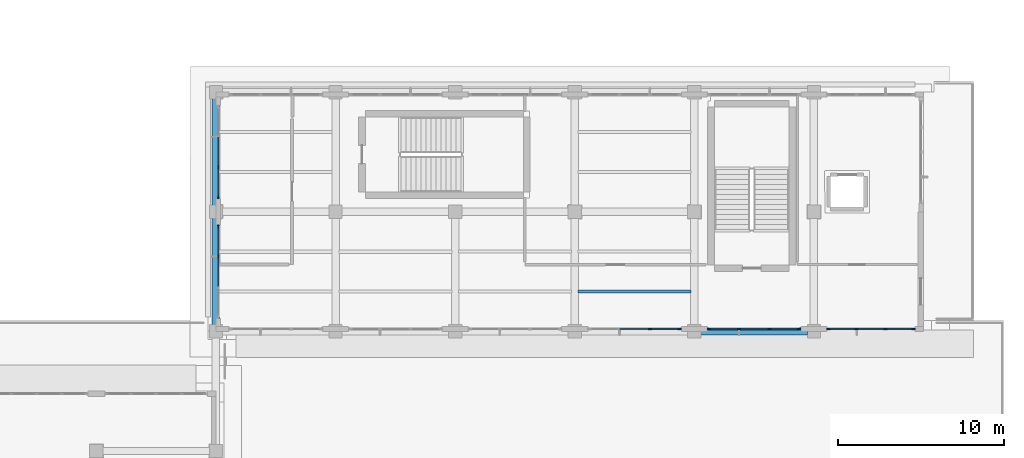
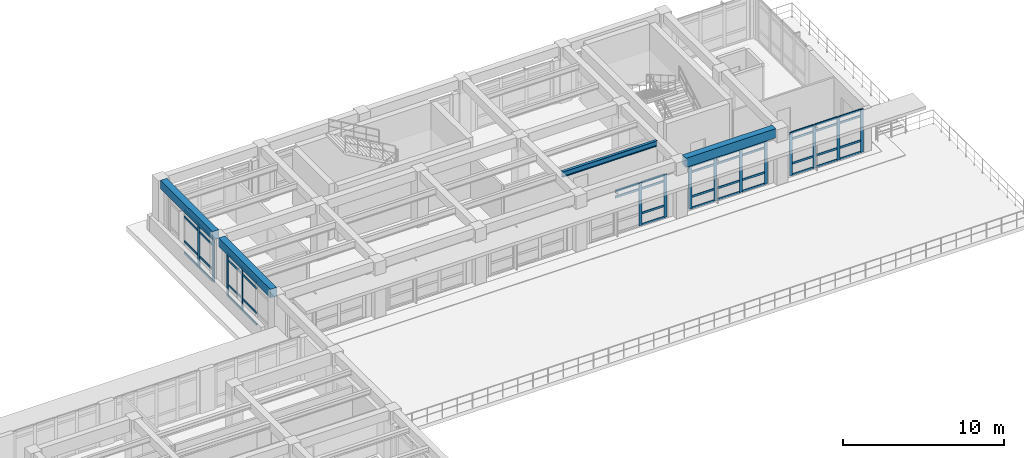
# One storey, part 16 of 67: 60 members, 4 beams, 5 elements without a shape of their own.
"""IFC4 building model written with IfcOpenShell, lengths in metres."""

from ifc_helpers import new_model, si_unit, direction, frame, origin, origin_2d, place, context, subcontext, project, spatial, rectangle, i_section, extrude, material, layer, layer_set, material_profile, profile_set, type_object, element, aggregate, save


model = new_model("IFC4")

# Units and contexts
model_context = context("Model", 3, precision=1e-05, world=origin(), true_north=direction((0.0, 1.0)))
body_context = subcontext(model_context, "Body", "Model", "MODEL_VIEW")
ifc_project = project(units=[si_unit("LENGTHUNIT", "METRE"), si_unit("AREAUNIT", "SQUARE_METRE"), si_unit("VOLUMEUNIT", "CUBIC_METRE"), si_unit("PLANEANGLEUNIT", "RADIAN"), si_unit("MASSUNIT", "GRAM", prefix="KILO")], contexts=[model_context])

# Site, building, storey
site_placement = place(None, origin())
site = spatial("IfcSite", under=ifc_project, at=site_placement, CompositionType="ELEMENT")
building_placement = place(site_placement, origin())
building = spatial("IfcBuilding", under=site, at=building_placement, Name="Solenvale Faculty of Natural Sciences", CompositionType="ELEMENT")
storey_placement = place(building_placement, frame((0.0, 0.0, 13.5)))
storey = spatial("IfcBuildingStorey", under=building, at=storey_placement, Name="L03", CompositionType="ELEMENT", Elevation=13.5)

# Beams
ifc_material_1 = material(Name="Concrete 40 MPa", Category="concrete")
ifc_material_profile_1 = material_profile(ifc_material_1, rectangle(XDim=0.449951171875, YDim=0.64990234375, at=origin_2d()), Name="RC-BM-450x650")
ifc_profile_set_1 = profile_set([ifc_material_profile_1], Name="Concrete 40 MPa")
beam_type_1 = type_object("IfcBeamType", Name="BM-RC-450x650", PredefinedType="BEAM", material=ifc_profile_set_1)
for number, where, z_axis, x_axis, name in (
    (1, (115.199951171875, 43.580078125, 3.89501953125), (0.0, 1.0, 0.0), (-1.0, 0.0, 0.0), "L03 Y-Girder X115.2 (43.2..50.4)"),
    (2, (115.199951171875, 50.780029296875, 3.89501953125), (0.0, 1.0, 0.0), (-1.0, 0.0, 0.0), "L03 Y-Girder X115.2 (50.4..57.6)"),
):
    element("IfcBeam", number, at=place(storey_placement, frame(where, z_axis=z_axis, x_axis=x_axis)), inside=storey, type_object=beam_type_1, Name=name, PredefinedType="BEAM", context=body_context, shape_type="SweptSolid", body=[
        extrude(rectangle(XDim=0.449951171875, YDim=0.64990234375, at=origin_2d()), origin(), (0.0, 0.0, 1.0), 6.43994140625),
    ])
ifc_material_profile_2 = material_profile(ifc_material_1, rectangle(XDim=0.449951171875, YDim=0.699951171875, at=origin_2d()), Name="RC-BM-450x700")
ifc_profile_set_2 = profile_set([ifc_material_profile_2], Name="Concrete 40 MPa")
beam_type_2 = type_object("IfcBeamType", Name="BM-RC-450x700", PredefinedType="BEAM", material=ifc_profile_set_2)
beam_1_placement = place(storey_placement, frame((144.3798828125, 43.199951171875, 3.8701171875), z_axis=(1.0, 0.0, 0.0), x_axis=(0.0, 1.0, 0.0)))
element("IfcBeam", 3, at=beam_1_placement, inside=storey, type_object=beam_type_2, Name="L03 X-Girder Y43.2 (144.0..151.2)", PredefinedType="BEAM", context=body_context, shape_type="SweptSolid", body=[
    extrude(rectangle(XDim=0.449951171875, YDim=0.699951171875, at=origin_2d()), origin(), (0.0, 0.0, 1.0), 6.440185546875),
])
ifc_material_2 = material(Name="Steel S355", Category="steel")
ifc_material_profile_3 = material_profile(ifc_material_2, i_section(OverallWidth=0.180908203125, OverallDepth=0.4169921875, WebThickness=0.010986328125, FlangeThickness=0.018310546875, FilletRadius=0.01611328125, at=origin_2d()), Name="W410x85")
ifc_profile_set_3 = profile_set([ifc_material_profile_3], Name="Steel S355")
beam_type_3 = type_object("IfcBeamType", Name="BM-STL-W410x85", PredefinedType="JOIST", material=ifc_profile_set_3)
beam_2_placement = place(storey_placement, frame((137.0048828125, 45.60009765625, 4.011474609375), z_axis=(1.0, 0.0, 0.0), x_axis=(0.0, 1.0, 0.0)))
element("IfcBeam", 4, at=beam_2_placement, inside=storey, type_object=beam_type_3, Name="L03 Composite Floor Joist (20,7).1", PredefinedType="JOIST", context=body_context, shape_type="SweptSolid", body=[
    extrude(i_section(OverallWidth=0.180908203125, OverallDepth=0.4169921875, WebThickness=0.010986328125, FlangeThickness=0.018310546875, FilletRadius=0.01611328125, at=origin_2d()), origin(), (0.0, 0.0, 1.0), 6.7900390625),
])

# Curtain wall, members
ifc_material_3 = material(Name="Anodised bronze aluminium", Category="aluminium")
ifc_layer = layer(ifc_material_3, 0.199951171875)
ifc_layer_set = layer_set([ifc_layer], Name="Anodised bronze aluminium")
curtain_wall_type = type_object("IfcCurtainWallType", Name="CW-COM-FIN", PredefinedType="USERDEFINED", material=ifc_layer_set)
curtain_wall_1_placement = place(storey_placement, origin())
curtain_wall_1 = element("IfcCurtainWall", 5, at=curtain_wall_1_placement, inside=storey, type_object=curtain_wall_type, Name="L03 Curtain Wall CW-L03-P2-E1-B4", ObjectType="UNITISED CURTAIN WALL", PredefinedType="USERDEFINED")
ifc_material_profile_4 = material_profile(ifc_material_3, rectangle(XDim=0.074951171875, YDim=0.2099609375, at=origin_2d()), Name="ALU-MUL-75x210")
ifc_profile_set_4 = profile_set([ifc_material_profile_4], Name="Anodised bronze aluminium")
member_type_1 = type_object("IfcMemberType", Name="CWM-ALU-75x210", PredefinedType="MULLION", material=ifc_profile_set_4)
member_1_placement = place(storey_placement, frame((141.316650390625, 43.342529296875, 0.0), z_axis=(0.0, 0.0, 1.0), x_axis=(0.0, 1.0, 0.0)))
member_1 = element("IfcMember", 6, at=member_1_placement, type_object=member_type_1, Name="CW-03 mullion 3", PredefinedType="MULLION", context=body_context, shape_type="SweptSolid", body=[
    extrude(rectangle(XDim=0.074951171875, YDim=0.2099609375, at=origin_2d()), origin(), (0.0, 0.0, 1.0), 3.260009765625),
])
member_2_placement = place(storey_placement, frame((143.112548828125, 43.342529296875, 0.0), z_axis=(0.0, 0.0, 1.0), x_axis=(0.0, 1.0, 0.0)))
member_2 = element("IfcMember", 7, at=member_2_placement, type_object=member_type_1, Name="CW-03 mullion 4", PredefinedType="MULLION", context=body_context, shape_type="SweptSolid", body=[
    extrude(rectangle(XDim=0.074951171875, YDim=0.2099609375, at=origin_2d()), origin(), (0.0, 0.0, 1.0), 3.260009765625),
])

curtain_wall_2_placement = place(storey_placement, origin())
curtain_wall_2 = element("IfcCurtainWall", 8, at=curtain_wall_2_placement, inside=storey, type_object=curtain_wall_type, Name="L03 Curtain Wall CW-L03-P2-E1-B5", ObjectType="UNITISED CURTAIN WALL", PredefinedType="USERDEFINED")
member_3_placement = place(storey_placement, frame((144.887451171875, 43.342529296875, 0.0), z_axis=(0.0, 0.0, 1.0), x_axis=(0.0, 1.0, 0.0)))
member_3 = element("IfcMember", 9, at=member_3_placement, type_object=member_type_1, Name="CW-03 mullion 1", PredefinedType="MULLION", context=body_context, shape_type="SweptSolid", body=[
    extrude(rectangle(XDim=0.074951171875, YDim=0.2099609375, at=origin_2d()), origin(), (0.0, 0.0, 1.0), 3.260009765625),
])
member_4_placement = place(storey_placement, frame((146.683349609375, 43.342529296875, 0.0), z_axis=(0.0, 0.0, 1.0), x_axis=(0.0, 1.0, 0.0)))
member_4 = element("IfcMember", 10, at=member_4_placement, type_object=member_type_1, Name="CW-03 mullion 2", PredefinedType="MULLION", context=body_context, shape_type="SweptSolid", body=[
    extrude(rectangle(XDim=0.074951171875, YDim=0.2099609375, at=origin_2d()), origin(), (0.0, 0.0, 1.0), 3.260009765625),
])
member_5_placement = place(storey_placement, frame((148.5166015625, 43.342529296875, 0.0), z_axis=(0.0, 0.0, 1.0), x_axis=(0.0, 1.0, 0.0)))
member_5 = element("IfcMember", 11, at=member_5_placement, type_object=member_type_1, Name="CW-03 mullion 3", PredefinedType="MULLION", context=body_context, shape_type="SweptSolid", body=[
    extrude(rectangle(XDim=0.074951171875, YDim=0.2099609375, at=origin_2d()), origin(), (0.0, 0.0, 1.0), 3.260009765625),
])
member_6_placement = place(storey_placement, frame((150.3125, 43.342529296875, 0.0), z_axis=(0.0, 0.0, 1.0), x_axis=(0.0, 1.0, 0.0)))
member_6 = element("IfcMember", 12, at=member_6_placement, type_object=member_type_1, Name="CW-03 mullion 4", PredefinedType="MULLION", context=body_context, shape_type="SweptSolid", body=[
    extrude(rectangle(XDim=0.074951171875, YDim=0.2099609375, at=origin_2d()), origin(), (0.0, 0.0, 1.0), 3.260009765625),
])

curtain_wall_3_placement = place(storey_placement, origin())
curtain_wall_3 = element("IfcCurtainWall", 13, at=curtain_wall_3_placement, inside=storey, type_object=curtain_wall_type, Name="L03 Curtain Wall CW-L03-P2-E1-B6", ObjectType="UNITISED CURTAIN WALL", PredefinedType="USERDEFINED")
member_7_placement = place(storey_placement, frame((152.08740234375, 43.342529296875, 0.0), z_axis=(0.0, 0.0, 1.0), x_axis=(0.0, 1.0, 0.0)))
member_7 = element("IfcMember", 14, at=member_7_placement, type_object=member_type_1, Name="CW-03 mullion 1", PredefinedType="MULLION", context=body_context, shape_type="SweptSolid", body=[
    extrude(rectangle(XDim=0.074951171875, YDim=0.2099609375, at=origin_2d()), origin(), (0.0, 0.0, 1.0), 3.260009765625),
])
member_8_placement = place(storey_placement, frame((153.7734375, 43.342529296875, 0.0), z_axis=(0.0, 0.0, 1.0), x_axis=(0.0, 1.0, 0.0)))
member_8 = element("IfcMember", 15, at=member_8_placement, type_object=member_type_1, Name="CW-03 mullion 2", PredefinedType="MULLION", context=body_context, shape_type="SweptSolid", body=[
    extrude(rectangle(XDim=0.074951171875, YDim=0.2099609375, at=origin_2d()), origin(), (0.0, 0.0, 1.0), 3.260009765625),
])
member_9_placement = place(storey_placement, frame((155.49658203125, 43.342529296875, 0.0), z_axis=(0.0, 0.0, 1.0), x_axis=(0.0, 1.0, 0.0)))
member_9 = element("IfcMember", 16, at=member_9_placement, type_object=member_type_1, Name="CW-03 mullion 3", PredefinedType="MULLION", context=body_context, shape_type="SweptSolid", body=[
    extrude(rectangle(XDim=0.074951171875, YDim=0.2099609375, at=origin_2d()), origin(), (0.0, 0.0, 1.0), 3.260009765625),
])
member_10_placement = place(storey_placement, frame((157.1826171875, 43.342529296875, 0.0), z_axis=(0.0, 0.0, 1.0), x_axis=(0.0, 1.0, 0.0)))
member_10 = element("IfcMember", 17, at=member_10_placement, type_object=member_type_1, Name="CW-03 mullion 4", PredefinedType="MULLION", context=body_context, shape_type="SweptSolid", body=[
    extrude(rectangle(XDim=0.074951171875, YDim=0.2099609375, at=origin_2d()), origin(), (0.0, 0.0, 1.0), 3.260009765625),
])

curtain_wall_4_placement = place(storey_placement, origin())
curtain_wall_4 = element("IfcCurtainWall", 18, at=curtain_wall_4_placement, inside=storey, type_object=curtain_wall_type, Name="L03 Curtain Wall CW-L03-P2-E4-B1", ObjectType="UNITISED CURTAIN WALL", PredefinedType="USERDEFINED")
member_11_placement = place(storey_placement, frame((115.342529296875, 53.083251953125, 0.0), z_axis=(0.0, 0.0, 1.0), x_axis=(1.0, 0.0, 0.0)))
member_11 = element("IfcMember", 19, at=member_11_placement, type_object=member_type_1, Name="CW-03 mullion 3", PredefinedType="MULLION", context=body_context, shape_type="SweptSolid", body=[
    extrude(rectangle(XDim=0.074951171875, YDim=0.2099609375, at=origin_2d()), origin(), (0.0, 0.0, 1.0), 3.260009765625),
])
member_12_placement = place(storey_placement, frame((115.342529296875, 51.28759765625, 0.0), z_axis=(0.0, 0.0, 1.0), x_axis=(1.0, 0.0, 0.0)))
member_12 = element("IfcMember", 20, at=member_12_placement, type_object=member_type_1, Name="CW-03 mullion 4", PredefinedType="MULLION", context=body_context, shape_type="SweptSolid", body=[
    extrude(rectangle(XDim=0.074951171875, YDim=0.2099609375, at=origin_2d()), origin(), (0.0, 0.0, 1.0), 3.260009765625),
])

curtain_wall_5_placement = place(storey_placement, origin())
curtain_wall_5 = element("IfcCurtainWall", 21, at=curtain_wall_5_placement, inside=storey, type_object=curtain_wall_type, Name="L03 Curtain Wall CW-L03-P2-E4-B2", ObjectType="UNITISED CURTAIN WALL", PredefinedType="USERDEFINED")
member_13_placement = place(storey_placement, frame((115.342529296875, 49.512451171875, 0.0), z_axis=(0.0, 0.0, 1.0), x_axis=(1.0, 0.0, 0.0)))
member_13 = element("IfcMember", 22, at=member_13_placement, type_object=member_type_1, Name="CW-03 mullion 1", PredefinedType="MULLION", context=body_context, shape_type="SweptSolid", body=[
    extrude(rectangle(XDim=0.074951171875, YDim=0.2099609375, at=origin_2d()), origin(), (0.0, 0.0, 1.0), 3.260009765625),
])
member_14_placement = place(storey_placement, frame((115.342529296875, 47.716552734375, 0.0), z_axis=(0.0, 0.0, 1.0), x_axis=(1.0, 0.0, 0.0)))
member_14 = element("IfcMember", 23, at=member_14_placement, type_object=member_type_1, Name="CW-03 mullion 2", PredefinedType="MULLION", context=body_context, shape_type="SweptSolid", body=[
    extrude(rectangle(XDim=0.074951171875, YDim=0.2099609375, at=origin_2d()), origin(), (0.0, 0.0, 1.0), 3.260009765625),
])

# Member
ifc_material_profile_5 = material_profile(ifc_material_3, rectangle(XDim=0.074951171875, YDim=0.155029296875, at=origin_2d()), Name="ALU-TRN-75x155")
ifc_profile_set_5 = profile_set([ifc_material_profile_5], Name="Anodised bronze aluminium")
member_type_2 = type_object("IfcMemberType", Name="CWT-ALU-75x155", PredefinedType="USERDEFINED", material=ifc_profile_set_5)
member_15_placement = place(storey_placement, frame((139.520751953125, 43.342529296875, 2.760009765625), z_axis=(1.0, 0.0, 0.0), x_axis=(0.0, 1.0, 0.0)))
member_15 = element("IfcMember", 24, at=member_15_placement, type_object=member_type_2, Name="CW-03 transom 2.3", ObjectType="TRANSOM", PredefinedType="USERDEFINED", context=body_context, shape_type="SweptSolid", body=[
    extrude(rectangle(XDim=0.074951171875, YDim=0.155029296875, at=origin_2d()), origin(), (0.0, 0.0, 1.0), 1.75830078125),
])

member_16_placement = place(storey_placement, frame((139.520751953125, 43.342529296875, 3.222412109375), z_axis=(1.0, 0.0, 0.0), x_axis=(0.0, 1.0, 0.0)))
member_16 = element("IfcMember", 25, at=member_16_placement, type_object=member_type_2, Name="CW-03 transom 2.4", ObjectType="TRANSOM", PredefinedType="USERDEFINED", context=body_context, shape_type="SweptSolid", body=[
    extrude(rectangle(XDim=0.074951171875, YDim=0.155029296875, at=origin_2d()), origin(), (0.0, 0.0, 1.0), 1.75830078125),
])

member_17_placement = place(storey_placement, frame((141.354248046875, 43.342529296875, 0.03759765625), z_axis=(1.0, 0.0, 0.0), x_axis=(0.0, 1.0, 0.0)))
member_17 = element("IfcMember", 26, at=member_17_placement, type_object=member_type_2, Name="CW-03 transom 3.1", ObjectType="TRANSOM", PredefinedType="USERDEFINED", context=body_context, shape_type="SweptSolid", body=[
    extrude(rectangle(XDim=0.074951171875, YDim=0.155029296875, at=origin_2d()), origin(), (0.0, 0.0, 1.0), 1.720703125),
])

member_18_placement = place(storey_placement, frame((141.354248046875, 43.342529296875, 0.89990234375), z_axis=(1.0, 0.0, 0.0), x_axis=(0.0, 1.0, 0.0)))
member_18 = element("IfcMember", 27, at=member_18_placement, type_object=member_type_2, Name="CW-03 transom 3.2", ObjectType="TRANSOM", PredefinedType="USERDEFINED", context=body_context, shape_type="SweptSolid", body=[
    extrude(rectangle(XDim=0.074951171875, YDim=0.155029296875, at=origin_2d()), origin(), (0.0, 0.0, 1.0), 1.720703125),
])

member_19_placement = place(storey_placement, frame((141.354248046875, 43.342529296875, 2.760009765625), z_axis=(1.0, 0.0, 0.0), x_axis=(0.0, 1.0, 0.0)))
member_19 = element("IfcMember", 28, at=member_19_placement, type_object=member_type_2, Name="CW-03 transom 3.3", ObjectType="TRANSOM", PredefinedType="USERDEFINED", context=body_context, shape_type="SweptSolid", body=[
    extrude(rectangle(XDim=0.074951171875, YDim=0.155029296875, at=origin_2d()), origin(), (0.0, 0.0, 1.0), 1.720703125),
])

member_20_placement = place(storey_placement, frame((141.354248046875, 43.342529296875, 3.222412109375), z_axis=(1.0, 0.0, 0.0), x_axis=(0.0, 1.0, 0.0)))
member_20 = element("IfcMember", 29, at=member_20_placement, type_object=member_type_2, Name="CW-03 transom 3.4", ObjectType="TRANSOM", PredefinedType="USERDEFINED", context=body_context, shape_type="SweptSolid", body=[
    extrude(rectangle(XDim=0.074951171875, YDim=0.155029296875, at=origin_2d()), origin(), (0.0, 0.0, 1.0), 1.720703125),
])

aggregate(curtain_wall_1, [member_1, member_2, member_15, member_16, member_17, member_18, member_19, member_20])

member_21_placement = place(storey_placement, frame((144.925048828125, 43.342529296875, 0.03759765625), z_axis=(1.0, 0.0, 0.0), x_axis=(0.0, 1.0, 0.0)))
member_21 = element("IfcMember", 30, at=member_21_placement, type_object=member_type_2, Name="CW-03 transom 1.1", ObjectType="TRANSOM", PredefinedType="USERDEFINED", context=body_context, shape_type="SweptSolid", body=[
    extrude(rectangle(XDim=0.074951171875, YDim=0.155029296875, at=origin_2d()), origin(), (0.0, 0.0, 1.0), 1.720703125),
])

member_22_placement = place(storey_placement, frame((144.925048828125, 43.342529296875, 0.89990234375), z_axis=(1.0, 0.0, 0.0), x_axis=(0.0, 1.0, 0.0)))
member_22 = element("IfcMember", 31, at=member_22_placement, type_object=member_type_2, Name="CW-03 transom 1.2", ObjectType="TRANSOM", PredefinedType="USERDEFINED", context=body_context, shape_type="SweptSolid", body=[
    extrude(rectangle(XDim=0.074951171875, YDim=0.155029296875, at=origin_2d()), origin(), (0.0, 0.0, 1.0), 1.720703125),
])

member_23_placement = place(storey_placement, frame((144.925048828125, 43.342529296875, 2.760009765625), z_axis=(1.0, 0.0, 0.0), x_axis=(0.0, 1.0, 0.0)))
member_23 = element("IfcMember", 32, at=member_23_placement, type_object=member_type_2, Name="CW-03 transom 1.3", ObjectType="TRANSOM", PredefinedType="USERDEFINED", context=body_context, shape_type="SweptSolid", body=[
    extrude(rectangle(XDim=0.074951171875, YDim=0.155029296875, at=origin_2d()), origin(), (0.0, 0.0, 1.0), 1.720703125),
])

member_24_placement = place(storey_placement, frame((144.925048828125, 43.342529296875, 3.222412109375), z_axis=(1.0, 0.0, 0.0), x_axis=(0.0, 1.0, 0.0)))
member_24 = element("IfcMember", 33, at=member_24_placement, type_object=member_type_2, Name="CW-03 transom 1.4", ObjectType="TRANSOM", PredefinedType="USERDEFINED", context=body_context, shape_type="SweptSolid", body=[
    extrude(rectangle(XDim=0.074951171875, YDim=0.155029296875, at=origin_2d()), origin(), (0.0, 0.0, 1.0), 1.720703125),
])

member_25_placement = place(storey_placement, frame((146.720947265625, 43.342529296875, 0.03759765625), z_axis=(1.0, 0.0, 0.0), x_axis=(0.0, 1.0, 0.0)))
member_25 = element("IfcMember", 34, at=member_25_placement, type_object=member_type_2, Name="CW-03 transom 2.1", ObjectType="TRANSOM", PredefinedType="USERDEFINED", context=body_context, shape_type="SweptSolid", body=[
    extrude(rectangle(XDim=0.074951171875, YDim=0.155029296875, at=origin_2d()), origin(), (0.0, 0.0, 1.0), 1.75830078125),
])

member_26_placement = place(storey_placement, frame((146.720947265625, 43.342529296875, 0.89990234375), z_axis=(1.0, 0.0, 0.0), x_axis=(0.0, 1.0, 0.0)))
member_26 = element("IfcMember", 35, at=member_26_placement, type_object=member_type_2, Name="CW-03 transom 2.2", ObjectType="TRANSOM", PredefinedType="USERDEFINED", context=body_context, shape_type="SweptSolid", body=[
    extrude(rectangle(XDim=0.074951171875, YDim=0.155029296875, at=origin_2d()), origin(), (0.0, 0.0, 1.0), 1.75830078125),
])

member_27_placement = place(storey_placement, frame((146.720947265625, 43.342529296875, 2.760009765625), z_axis=(1.0, 0.0, 0.0), x_axis=(0.0, 1.0, 0.0)))
member_27 = element("IfcMember", 36, at=member_27_placement, type_object=member_type_2, Name="CW-03 transom 2.3", ObjectType="TRANSOM", PredefinedType="USERDEFINED", context=body_context, shape_type="SweptSolid", body=[
    extrude(rectangle(XDim=0.074951171875, YDim=0.155029296875, at=origin_2d()), origin(), (0.0, 0.0, 1.0), 1.75830078125),
])

member_28_placement = place(storey_placement, frame((146.720947265625, 43.342529296875, 3.222412109375), z_axis=(1.0, 0.0, 0.0), x_axis=(0.0, 1.0, 0.0)))
member_28 = element("IfcMember", 37, at=member_28_placement, type_object=member_type_2, Name="CW-03 transom 2.4", ObjectType="TRANSOM", PredefinedType="USERDEFINED", context=body_context, shape_type="SweptSolid", body=[
    extrude(rectangle(XDim=0.074951171875, YDim=0.155029296875, at=origin_2d()), origin(), (0.0, 0.0, 1.0), 1.75830078125),
])

member_29_placement = place(storey_placement, frame((148.55419921875, 43.342529296875, 0.03759765625), z_axis=(1.0, 0.0, 0.0), x_axis=(0.0, 1.0, 0.0)))
member_29 = element("IfcMember", 38, at=member_29_placement, type_object=member_type_2, Name="CW-03 transom 3.1", ObjectType="TRANSOM", PredefinedType="USERDEFINED", context=body_context, shape_type="SweptSolid", body=[
    extrude(rectangle(XDim=0.074951171875, YDim=0.155029296875, at=origin_2d()), origin(), (0.0, 0.0, 1.0), 1.720703125),
])

member_30_placement = place(storey_placement, frame((148.55419921875, 43.342529296875, 0.89990234375), z_axis=(1.0, 0.0, 0.0), x_axis=(0.0, 1.0, 0.0)))
member_30 = element("IfcMember", 39, at=member_30_placement, type_object=member_type_2, Name="CW-03 transom 3.2", ObjectType="TRANSOM", PredefinedType="USERDEFINED", context=body_context, shape_type="SweptSolid", body=[
    extrude(rectangle(XDim=0.074951171875, YDim=0.155029296875, at=origin_2d()), origin(), (0.0, 0.0, 1.0), 1.720703125),
])

member_31_placement = place(storey_placement, frame((148.55419921875, 43.342529296875, 2.760009765625), z_axis=(1.0, 0.0, 0.0), x_axis=(0.0, 1.0, 0.0)))
member_31 = element("IfcMember", 40, at=member_31_placement, type_object=member_type_2, Name="CW-03 transom 3.3", ObjectType="TRANSOM", PredefinedType="USERDEFINED", context=body_context, shape_type="SweptSolid", body=[
    extrude(rectangle(XDim=0.074951171875, YDim=0.155029296875, at=origin_2d()), origin(), (0.0, 0.0, 1.0), 1.720703125),
])

member_32_placement = place(storey_placement, frame((148.55419921875, 43.342529296875, 3.222412109375), z_axis=(1.0, 0.0, 0.0), x_axis=(0.0, 1.0, 0.0)))
member_32 = element("IfcMember", 41, at=member_32_placement, type_object=member_type_2, Name="CW-03 transom 3.4", ObjectType="TRANSOM", PredefinedType="USERDEFINED", context=body_context, shape_type="SweptSolid", body=[
    extrude(rectangle(XDim=0.074951171875, YDim=0.155029296875, at=origin_2d()), origin(), (0.0, 0.0, 1.0), 1.720703125),
])

aggregate(curtain_wall_2, [member_3, member_4, member_5, member_6, member_21, member_22, member_23, member_24, member_25, member_26, member_27, member_28, member_29, member_30, member_31, member_32])

member_33_placement = place(storey_placement, frame((152.125, 43.342529296875, 0.03759765625), z_axis=(1.0, 0.0, 0.0), x_axis=(0.0, 1.0, 0.0)))
member_33 = element("IfcMember", 42, at=member_33_placement, type_object=member_type_2, Name="CW-03 transom 1.1", ObjectType="TRANSOM", PredefinedType="USERDEFINED", context=body_context, shape_type="SweptSolid", body=[
    extrude(rectangle(XDim=0.074951171875, YDim=0.155029296875, at=origin_2d()), origin(), (0.0, 0.0, 1.0), 1.61083984375),
])

member_34_placement = place(storey_placement, frame((152.125, 43.342529296875, 0.89990234375), z_axis=(1.0, 0.0, 0.0), x_axis=(0.0, 1.0, 0.0)))
member_34 = element("IfcMember", 43, at=member_34_placement, type_object=member_type_2, Name="CW-03 transom 1.2", ObjectType="TRANSOM", PredefinedType="USERDEFINED", context=body_context, shape_type="SweptSolid", body=[
    extrude(rectangle(XDim=0.074951171875, YDim=0.155029296875, at=origin_2d()), origin(), (0.0, 0.0, 1.0), 1.61083984375),
])

member_35_placement = place(storey_placement, frame((152.125, 43.342529296875, 2.760009765625), z_axis=(1.0, 0.0, 0.0), x_axis=(0.0, 1.0, 0.0)))
member_35 = element("IfcMember", 44, at=member_35_placement, type_object=member_type_2, Name="CW-03 transom 1.3", ObjectType="TRANSOM", PredefinedType="USERDEFINED", context=body_context, shape_type="SweptSolid", body=[
    extrude(rectangle(XDim=0.074951171875, YDim=0.155029296875, at=origin_2d()), origin(), (0.0, 0.0, 1.0), 1.61083984375),
])

member_36_placement = place(storey_placement, frame((152.125, 43.342529296875, 3.222412109375), z_axis=(1.0, 0.0, 0.0), x_axis=(0.0, 1.0, 0.0)))
member_36 = element("IfcMember", 45, at=member_36_placement, type_object=member_type_2, Name="CW-03 transom 1.4", ObjectType="TRANSOM", PredefinedType="USERDEFINED", context=body_context, shape_type="SweptSolid", body=[
    extrude(rectangle(XDim=0.074951171875, YDim=0.155029296875, at=origin_2d()), origin(), (0.0, 0.0, 1.0), 1.61083984375),
])

member_37_placement = place(storey_placement, frame((153.810791015625, 43.342529296875, 0.03759765625), z_axis=(1.0, 0.0, 0.0), x_axis=(0.0, 1.0, 0.0)))
member_37 = element("IfcMember", 46, at=member_37_placement, type_object=member_type_2, Name="CW-03 transom 2.1", ObjectType="TRANSOM", PredefinedType="USERDEFINED", context=body_context, shape_type="SweptSolid", body=[
    extrude(rectangle(XDim=0.074951171875, YDim=0.155029296875, at=origin_2d()), origin(), (0.0, 0.0, 1.0), 1.6484375),
])

member_38_placement = place(storey_placement, frame((153.810791015625, 43.342529296875, 0.89990234375), z_axis=(1.0, 0.0, 0.0), x_axis=(0.0, 1.0, 0.0)))
member_38 = element("IfcMember", 47, at=member_38_placement, type_object=member_type_2, Name="CW-03 transom 2.2", ObjectType="TRANSOM", PredefinedType="USERDEFINED", context=body_context, shape_type="SweptSolid", body=[
    extrude(rectangle(XDim=0.074951171875, YDim=0.155029296875, at=origin_2d()), origin(), (0.0, 0.0, 1.0), 1.6484375),
])

member_39_placement = place(storey_placement, frame((153.810791015625, 43.342529296875, 2.760009765625), z_axis=(1.0, 0.0, 0.0), x_axis=(0.0, 1.0, 0.0)))
member_39 = element("IfcMember", 48, at=member_39_placement, type_object=member_type_2, Name="CW-03 transom 2.3", ObjectType="TRANSOM", PredefinedType="USERDEFINED", context=body_context, shape_type="SweptSolid", body=[
    extrude(rectangle(XDim=0.074951171875, YDim=0.155029296875, at=origin_2d()), origin(), (0.0, 0.0, 1.0), 1.6484375),
])

member_40_placement = place(storey_placement, frame((153.810791015625, 43.342529296875, 3.222412109375), z_axis=(1.0, 0.0, 0.0), x_axis=(0.0, 1.0, 0.0)))
member_40 = element("IfcMember", 49, at=member_40_placement, type_object=member_type_2, Name="CW-03 transom 2.4", ObjectType="TRANSOM", PredefinedType="USERDEFINED", context=body_context, shape_type="SweptSolid", body=[
    extrude(rectangle(XDim=0.074951171875, YDim=0.155029296875, at=origin_2d()), origin(), (0.0, 0.0, 1.0), 1.6484375),
])

member_41_placement = place(storey_placement, frame((155.5341796875, 43.342529296875, 0.03759765625), z_axis=(1.0, 0.0, 0.0), x_axis=(0.0, 1.0, 0.0)))
member_41 = element("IfcMember", 50, at=member_41_placement, type_object=member_type_2, Name="CW-03 transom 3.1", ObjectType="TRANSOM", PredefinedType="USERDEFINED", context=body_context, shape_type="SweptSolid", body=[
    extrude(rectangle(XDim=0.074951171875, YDim=0.155029296875, at=origin_2d()), origin(), (0.0, 0.0, 1.0), 1.61083984375),
])

member_42_placement = place(storey_placement, frame((155.5341796875, 43.342529296875, 0.89990234375), z_axis=(1.0, 0.0, 0.0), x_axis=(0.0, 1.0, 0.0)))
member_42 = element("IfcMember", 51, at=member_42_placement, type_object=member_type_2, Name="CW-03 transom 3.2", ObjectType="TRANSOM", PredefinedType="USERDEFINED", context=body_context, shape_type="SweptSolid", body=[
    extrude(rectangle(XDim=0.074951171875, YDim=0.155029296875, at=origin_2d()), origin(), (0.0, 0.0, 1.0), 1.61083984375),
])

member_43_placement = place(storey_placement, frame((155.5341796875, 43.342529296875, 2.760009765625), z_axis=(1.0, 0.0, 0.0), x_axis=(0.0, 1.0, 0.0)))
member_43 = element("IfcMember", 52, at=member_43_placement, type_object=member_type_2, Name="CW-03 transom 3.3", ObjectType="TRANSOM", PredefinedType="USERDEFINED", context=body_context, shape_type="SweptSolid", body=[
    extrude(rectangle(XDim=0.074951171875, YDim=0.155029296875, at=origin_2d()), origin(), (0.0, 0.0, 1.0), 1.61083984375),
])

member_44_placement = place(storey_placement, frame((155.5341796875, 43.342529296875, 3.222412109375), z_axis=(1.0, 0.0, 0.0), x_axis=(0.0, 1.0, 0.0)))
member_44 = element("IfcMember", 53, at=member_44_placement, type_object=member_type_2, Name="CW-03 transom 3.4", ObjectType="TRANSOM", PredefinedType="USERDEFINED", context=body_context, shape_type="SweptSolid", body=[
    extrude(rectangle(XDim=0.074951171875, YDim=0.155029296875, at=origin_2d()), origin(), (0.0, 0.0, 1.0), 1.61083984375),
])

aggregate(curtain_wall_3, [member_7, member_8, member_9, member_10, member_33, member_34, member_35, member_36, member_37, member_38, member_39, member_40, member_41, member_42, member_43, member_44])

member_45_placement = place(storey_placement, frame((115.342529296875, 54.879150390625, 0.03759765625), z_axis=(0.0, -1.0, 0.0), x_axis=(1.0, 0.0, 0.0)))
member_45 = element("IfcMember", 54, at=member_45_placement, type_object=member_type_2, Name="CW-03 transom 2.1", ObjectType="TRANSOM", PredefinedType="USERDEFINED", context=body_context, shape_type="SweptSolid", body=[
    extrude(rectangle(XDim=0.074951171875, YDim=0.155029296875, at=origin_2d()), origin(), (0.0, 0.0, 1.0), 1.75830078125),
])

member_46_placement = place(storey_placement, frame((115.342529296875, 54.879150390625, 0.89990234375), z_axis=(0.0, -1.0, 0.0), x_axis=(1.0, 0.0, 0.0)))
member_46 = element("IfcMember", 55, at=member_46_placement, type_object=member_type_2, Name="CW-03 transom 2.2", ObjectType="TRANSOM", PredefinedType="USERDEFINED", context=body_context, shape_type="SweptSolid", body=[
    extrude(rectangle(XDim=0.074951171875, YDim=0.155029296875, at=origin_2d()), origin(), (0.0, 0.0, 1.0), 1.75830078125),
])

member_47_placement = place(storey_placement, frame((115.342529296875, 54.879150390625, 2.760009765625), z_axis=(0.0, -1.0, 0.0), x_axis=(1.0, 0.0, 0.0)))
member_47 = element("IfcMember", 56, at=member_47_placement, type_object=member_type_2, Name="CW-03 transom 2.3", ObjectType="TRANSOM", PredefinedType="USERDEFINED", context=body_context, shape_type="SweptSolid", body=[
    extrude(rectangle(XDim=0.074951171875, YDim=0.155029296875, at=origin_2d()), origin(), (0.0, 0.0, 1.0), 1.75830078125),
])

member_48_placement = place(storey_placement, frame((115.342529296875, 54.879150390625, 3.222412109375), z_axis=(0.0, -1.0, 0.0), x_axis=(1.0, 0.0, 0.0)))
member_48 = element("IfcMember", 57, at=member_48_placement, type_object=member_type_2, Name="CW-03 transom 2.4", ObjectType="TRANSOM", PredefinedType="USERDEFINED", context=body_context, shape_type="SweptSolid", body=[
    extrude(rectangle(XDim=0.074951171875, YDim=0.155029296875, at=origin_2d()), origin(), (0.0, 0.0, 1.0), 1.75830078125),
])

member_49_placement = place(storey_placement, frame((115.342529296875, 53.0458984375, 0.03759765625), z_axis=(0.0, -1.0, 0.0), x_axis=(1.0, 0.0, 0.0)))
member_49 = element("IfcMember", 58, at=member_49_placement, type_object=member_type_2, Name="CW-03 transom 3.1", ObjectType="TRANSOM", PredefinedType="USERDEFINED", context=body_context, shape_type="SweptSolid", body=[
    extrude(rectangle(XDim=0.074951171875, YDim=0.155029296875, at=origin_2d()), origin(), (0.0, 0.0, 1.0), 1.720947265625),
])

member_50_placement = place(storey_placement, frame((115.342529296875, 53.0458984375, 0.89990234375), z_axis=(0.0, -1.0, 0.0), x_axis=(1.0, 0.0, 0.0)))
member_50 = element("IfcMember", 59, at=member_50_placement, type_object=member_type_2, Name="CW-03 transom 3.2", ObjectType="TRANSOM", PredefinedType="USERDEFINED", context=body_context, shape_type="SweptSolid", body=[
    extrude(rectangle(XDim=0.074951171875, YDim=0.155029296875, at=origin_2d()), origin(), (0.0, 0.0, 1.0), 1.720947265625),
])

member_51_placement = place(storey_placement, frame((115.342529296875, 53.0458984375, 2.760009765625), z_axis=(0.0, -1.0, 0.0), x_axis=(1.0, 0.0, 0.0)))
member_51 = element("IfcMember", 60, at=member_51_placement, type_object=member_type_2, Name="CW-03 transom 3.3", ObjectType="TRANSOM", PredefinedType="USERDEFINED", context=body_context, shape_type="SweptSolid", body=[
    extrude(rectangle(XDim=0.074951171875, YDim=0.155029296875, at=origin_2d()), origin(), (0.0, 0.0, 1.0), 1.720947265625),
])

member_52_placement = place(storey_placement, frame((115.342529296875, 53.0458984375, 3.222412109375), z_axis=(0.0, -1.0, 0.0), x_axis=(1.0, 0.0, 0.0)))
member_52 = element("IfcMember", 61, at=member_52_placement, type_object=member_type_2, Name="CW-03 transom 3.4", ObjectType="TRANSOM", PredefinedType="USERDEFINED", context=body_context, shape_type="SweptSolid", body=[
    extrude(rectangle(XDim=0.074951171875, YDim=0.155029296875, at=origin_2d()), origin(), (0.0, 0.0, 1.0), 1.720947265625),
])

aggregate(curtain_wall_4, [member_11, member_12, member_45, member_46, member_47, member_48, member_49, member_50, member_51, member_52])

member_53_placement = place(storey_placement, frame((115.342529296875, 49.47509765625, 0.03759765625), z_axis=(0.0, -1.0, 0.0), x_axis=(1.0, 0.0, 0.0)))
member_53 = element("IfcMember", 62, at=member_53_placement, type_object=member_type_2, Name="CW-03 transom 1.1", ObjectType="TRANSOM", PredefinedType="USERDEFINED", context=body_context, shape_type="SweptSolid", body=[
    extrude(rectangle(XDim=0.074951171875, YDim=0.155029296875, at=origin_2d()), origin(), (0.0, 0.0, 1.0), 1.720947265625),
])

member_54_placement = place(storey_placement, frame((115.342529296875, 49.47509765625, 0.89990234375), z_axis=(0.0, -1.0, 0.0), x_axis=(1.0, 0.0, 0.0)))
member_54 = element("IfcMember", 63, at=member_54_placement, type_object=member_type_2, Name="CW-03 transom 1.2", ObjectType="TRANSOM", PredefinedType="USERDEFINED", context=body_context, shape_type="SweptSolid", body=[
    extrude(rectangle(XDim=0.074951171875, YDim=0.155029296875, at=origin_2d()), origin(), (0.0, 0.0, 1.0), 1.720947265625),
])

member_55_placement = place(storey_placement, frame((115.342529296875, 49.47509765625, 2.760009765625), z_axis=(0.0, -1.0, 0.0), x_axis=(1.0, 0.0, 0.0)))
member_55 = element("IfcMember", 64, at=member_55_placement, type_object=member_type_2, Name="CW-03 transom 1.3", ObjectType="TRANSOM", PredefinedType="USERDEFINED", context=body_context, shape_type="SweptSolid", body=[
    extrude(rectangle(XDim=0.074951171875, YDim=0.155029296875, at=origin_2d()), origin(), (0.0, 0.0, 1.0), 1.720947265625),
])

member_56_placement = place(storey_placement, frame((115.342529296875, 49.47509765625, 3.222412109375), z_axis=(0.0, -1.0, 0.0), x_axis=(1.0, 0.0, 0.0)))
member_56 = element("IfcMember", 65, at=member_56_placement, type_object=member_type_2, Name="CW-03 transom 1.4", ObjectType="TRANSOM", PredefinedType="USERDEFINED", context=body_context, shape_type="SweptSolid", body=[
    extrude(rectangle(XDim=0.074951171875, YDim=0.155029296875, at=origin_2d()), origin(), (0.0, 0.0, 1.0), 1.720947265625),
])

member_57_placement = place(storey_placement, frame((115.342529296875, 47.67919921875, 0.03759765625), z_axis=(0.0, -1.0, 0.0), x_axis=(1.0, 0.0, 0.0)))
member_57 = element("IfcMember", 66, at=member_57_placement, type_object=member_type_2, Name="CW-03 transom 2.1", ObjectType="TRANSOM", PredefinedType="USERDEFINED", context=body_context, shape_type="SweptSolid", body=[
    extrude(rectangle(XDim=0.074951171875, YDim=0.155029296875, at=origin_2d()), origin(), (0.0, 0.0, 1.0), 1.75830078125),
])

member_58_placement = place(storey_placement, frame((115.342529296875, 47.67919921875, 0.89990234375), z_axis=(0.0, -1.0, 0.0), x_axis=(1.0, 0.0, 0.0)))
member_58 = element("IfcMember", 67, at=member_58_placement, type_object=member_type_2, Name="CW-03 transom 2.2", ObjectType="TRANSOM", PredefinedType="USERDEFINED", context=body_context, shape_type="SweptSolid", body=[
    extrude(rectangle(XDim=0.074951171875, YDim=0.155029296875, at=origin_2d()), origin(), (0.0, 0.0, 1.0), 1.75830078125),
])

member_59_placement = place(storey_placement, frame((115.342529296875, 47.67919921875, 2.760009765625), z_axis=(0.0, -1.0, 0.0), x_axis=(1.0, 0.0, 0.0)))
member_59 = element("IfcMember", 68, at=member_59_placement, type_object=member_type_2, Name="CW-03 transom 2.3", ObjectType="TRANSOM", PredefinedType="USERDEFINED", context=body_context, shape_type="SweptSolid", body=[
    extrude(rectangle(XDim=0.074951171875, YDim=0.155029296875, at=origin_2d()), origin(), (0.0, 0.0, 1.0), 1.75830078125),
])

member_60_placement = place(storey_placement, frame((115.342529296875, 47.67919921875, 3.222412109375), z_axis=(0.0, -1.0, 0.0), x_axis=(1.0, 0.0, 0.0)))
member_60 = element("IfcMember", 69, at=member_60_placement, type_object=member_type_2, Name="CW-03 transom 2.4", ObjectType="TRANSOM", PredefinedType="USERDEFINED", context=body_context, shape_type="SweptSolid", body=[
    extrude(rectangle(XDim=0.074951171875, YDim=0.155029296875, at=origin_2d()), origin(), (0.0, 0.0, 1.0), 1.75830078125),
])

aggregate(curtain_wall_5, [member_13, member_14, member_53, member_54, member_55, member_56, member_57, member_58, member_59, member_60])

save(model, "model.ifc")
